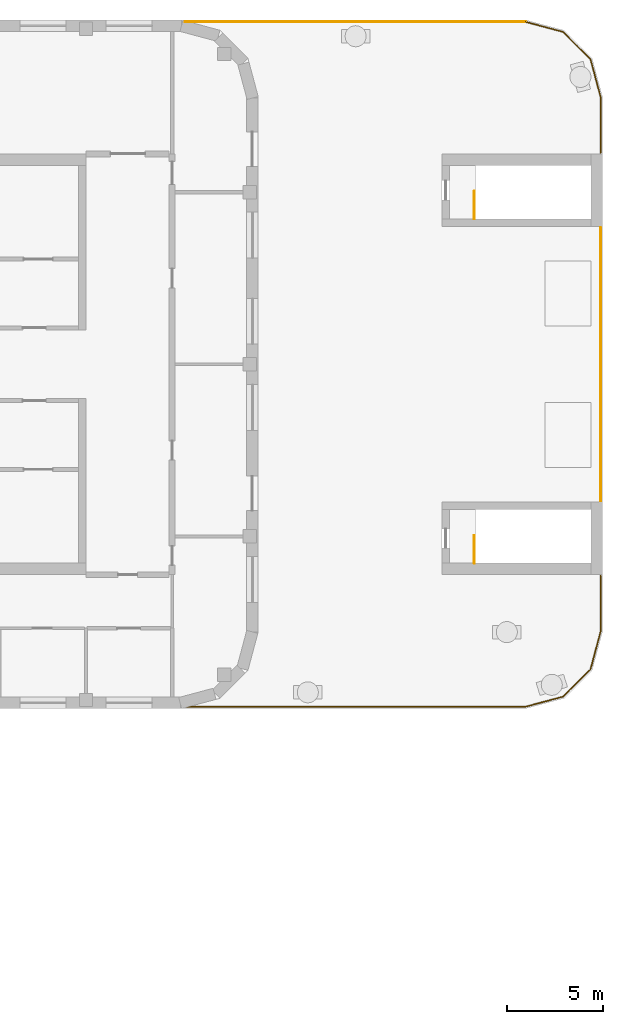
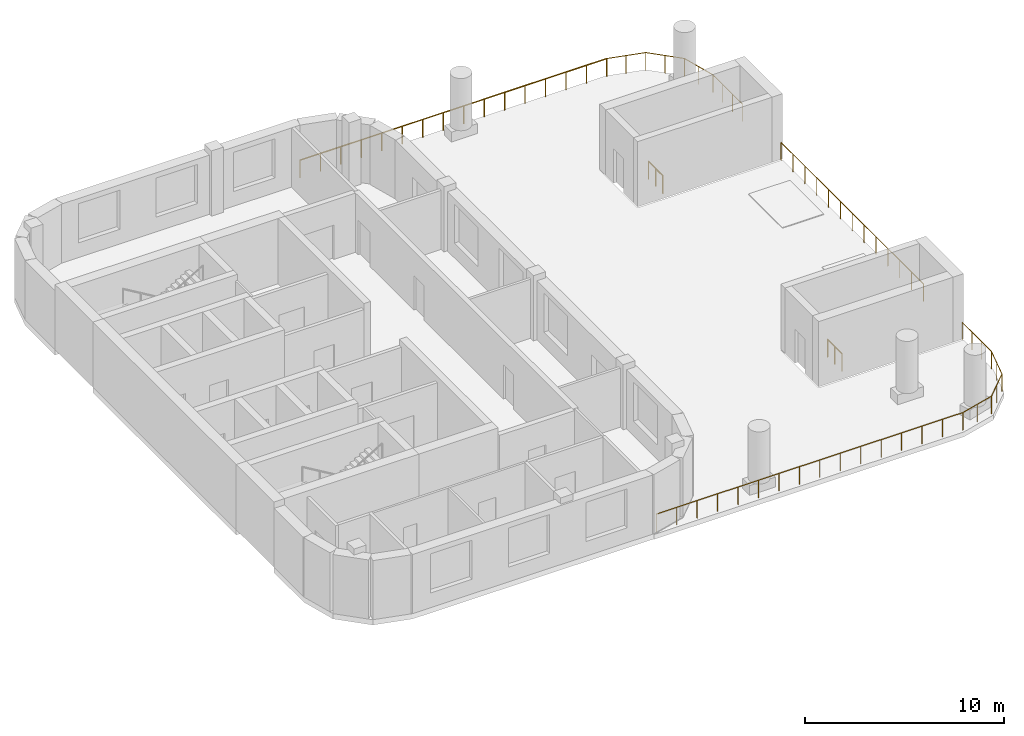
# One storey, part 12 of 14: 6 railings.
"""IFC4 building model written with IfcOpenShell, lengths in metres."""

from ifc_helpers import new_model, si_unit, direction, frame, origin, origin_2d, place, context, subcontext, project, spatial, circle, extrude, material, type_object, element, save


model = new_model("IFC4")

# Units and contexts
model_context = context("Model", 3, precision=1e-05, world=origin(), true_north=direction((0.0, 1.0)))
body_context = subcontext(model_context, "Body", "Model", "MODEL_VIEW")
ifc_project = project(units=[si_unit("LENGTHUNIT", "METRE"), si_unit("AREAUNIT", "SQUARE_METRE"), si_unit("VOLUMEUNIT", "CUBIC_METRE"), si_unit("PLANEANGLEUNIT", "RADIAN"), si_unit("MASSUNIT", "GRAM", prefix="KILO")], contexts=[model_context])

# Site, building, storey
site_placement = place(None, origin())
site = spatial("IfcSite", under=ifc_project, at=site_placement, CompositionType="ELEMENT")
building_placement = place(site_placement, origin())
building = spatial("IfcBuilding", under=site, at=building_placement, Name="Skarvind Civic Tower", CompositionType="ELEMENT")
storey_placement = place(building_placement, frame((0.0, 0.0, 89.0)))
storey = spatial("IfcBuildingStorey", under=building, at=storey_placement, Name="L20", CompositionType="ELEMENT", Elevation=89.0)

# Railings
ifc_material_1 = material(Name="Stainless steel balustrade", Category="steel")
railing_type_1 = type_object("IfcRailingType", Name="GR1 GUARD 1100", PredefinedType="GUARDRAIL", material=ifc_material_1)
railing_1_placement = place(storey_placement, frame((162.97412109375, 145.9033203125, 0.0)))
element("IfcRailing", 1, at=railing_1_placement, inside=storey, type_object=railing_type_1, Name="ROOF GARDEN GUARD", PredefinedType="GUARDRAIL", context=body_context, shape_type="SweptSolid", body=[
    extrude(circle(Radius=0.02392578125, at=origin_2d()), frame((0.0, 0.0, 1.076171875), z_axis=(0.965944852589, -0.258748027542, 0.0), x_axis=(0.258748027542, 0.965944852589, 0.0)), (0.0, 0.0, 1.0), 2.043701171875),
    extrude(circle(Radius=0.02392578125, at=origin_2d()), frame((1.97412109375, -0.52880859375, 1.076171875), z_axis=(0.707106781187, -0.707106781187, 0.0), x_axis=(0.707106781187, 0.707106781187, 0.0)), (0.0, 0.0, 1.0), 2.01708984375),
    extrude(circle(Radius=0.02392578125, at=origin_2d()), frame((3.400390625, -1.955078125, 1.076171875), z_axis=(0.258740091776, -0.965946978311, 0.0), x_axis=(0.965946978311, 0.258740091776, 0.0)), (0.0, 0.0, 1.0), 2.030517578125),
    extrude(circle(Radius=0.02392578125, at=origin_2d()), frame((3.92578125, -3.91650390625, 1.076171875), z_axis=(0.0, -1.0, 0.0), x_axis=(1.0, 0.0, 0.0)), (0.0, 0.0, 1.0), 2.936767578125),
    extrude(circle(Radius=0.02099609375, at=origin_2d()), origin(), (0.0, 0.0, 1.0), 1.052001953125),
    extrude(circle(Radius=0.02099609375, at=origin_2d()), frame((0.987060546875, -0.264404296875, 0.0)), (0.0, 0.0, 1.0), 1.052001953125),
    extrude(circle(Radius=0.02099609375, at=origin_2d()), frame((1.97412109375, -0.52880859375, 0.0)), (0.0, 0.0, 1.0), 1.052001953125),
    extrude(circle(Radius=0.02099609375, at=origin_2d()), frame((2.687255859375, -1.241943359375, 0.0)), (0.0, 0.0, 1.0), 1.052001953125),
    extrude(circle(Radius=0.02099609375, at=origin_2d()), frame((3.400390625, -1.955078125, 0.0)), (0.0, 0.0, 1.0), 1.052001953125),
    extrude(circle(Radius=0.02099609375, at=origin_2d()), frame((3.6630859375, -2.935791015625, 0.0)), (0.0, 0.0, 1.0), 1.052001953125),
    extrude(circle(Radius=0.02099609375, at=origin_2d()), frame((3.92578125, -3.91650390625, 0.0)), (0.0, 0.0, 1.0), 1.052001953125),
    extrude(circle(Radius=0.02099609375, at=origin_2d()), frame((3.92578125, -4.8955078125, 0.0)), (0.0, 0.0, 1.0), 1.052001953125),
    extrude(circle(Radius=0.02099609375, at=origin_2d()), frame((3.92578125, -5.874267578125, 0.0)), (0.0, 0.0, 1.0), 1.052001953125),
    extrude(circle(Radius=0.02099609375, at=origin_2d()), frame((3.92578125, -6.853271484375, 0.0)), (0.0, 0.0, 1.0), 1.052001953125),
])
railing_2_placement = place(storey_placement, frame((166.89990234375, 135.14990234375, 0.0)))
element("IfcRailing", 2, at=railing_2_placement, inside=storey, type_object=railing_type_1, Name="ROOF GARDEN GUARD", PredefinedType="GUARDRAIL", context=body_context, shape_type="SweptSolid", body=[
    extrude(circle(Radius=0.02392578125, at=origin_2d()), frame((0.0, 0.0, 1.076171875), z_axis=(0.0, -1.0, 0.0), x_axis=(1.0, 0.0, 0.0)), (0.0, 0.0, 1.0), 14.2998046875),
    extrude(circle(Radius=0.02099609375, at=origin_2d()), origin(), (0.0, 0.0, 1.0), 1.052001953125),
    extrude(circle(Radius=0.02099609375, at=origin_2d()), frame((0.0, -1.191650390625, 0.0)), (0.0, 0.0, 1.0), 1.052001953125),
    extrude(circle(Radius=0.02099609375, at=origin_2d()), frame((0.0, -2.38330078125, 0.0)), (0.0, 0.0, 1.0), 1.052001953125),
    extrude(circle(Radius=0.02099609375, at=origin_2d()), frame((0.0, -3.574951171875, 0.0)), (0.0, 0.0, 1.0), 1.052001953125),
    extrude(circle(Radius=0.02099609375, at=origin_2d()), frame((0.0, -4.7666015625, 0.0)), (0.0, 0.0, 1.0), 1.052001953125),
    extrude(circle(Radius=0.02099609375, at=origin_2d()), frame((0.0, -5.958251953125, 0.0)), (0.0, 0.0, 1.0), 1.052001953125),
    extrude(circle(Radius=0.02099609375, at=origin_2d()), frame((0.0, -7.14990234375, 0.0)), (0.0, 0.0, 1.0), 1.052001953125),
    extrude(circle(Radius=0.02099609375, at=origin_2d()), frame((0.0, -8.341552734375, 0.0)), (0.0, 0.0, 1.0), 1.052001953125),
    extrude(circle(Radius=0.02099609375, at=origin_2d()), frame((0.0, -9.533203125, 0.0)), (0.0, 0.0, 1.0), 1.052001953125),
    extrude(circle(Radius=0.02099609375, at=origin_2d()), frame((0.0, -10.724853515625, 0.0)), (0.0, 0.0, 1.0), 1.052001953125),
    extrude(circle(Radius=0.02099609375, at=origin_2d()), frame((0.0, -11.91650390625, 0.0)), (0.0, 0.0, 1.0), 1.052001953125),
    extrude(circle(Radius=0.02099609375, at=origin_2d()), frame((0.0, -13.108154296875, 0.0)), (0.0, 0.0, 1.0), 1.052001953125),
    extrude(circle(Radius=0.02099609375, at=origin_2d()), frame((0.0, -14.2998046875, 0.0)), (0.0, 0.0, 1.0), 1.052001953125),
])
railing_3_placement = place(storey_placement, frame((166.89990234375, 116.949951171875, 0.0)))
element("IfcRailing", 3, at=railing_3_placement, inside=storey, type_object=railing_type_1, Name="ROOF GARDEN GUARD", PredefinedType="GUARDRAIL", context=body_context, shape_type="SweptSolid", body=[
    extrude(circle(Radius=0.02392578125, at=origin_2d()), frame((0.0, 0.0, 1.076171875), z_axis=(0.0, -1.0, 0.0), x_axis=(1.0, 0.0, 0.0)), (0.0, 0.0, 1.0), 2.936767578125),
    extrude(circle(Radius=0.02392578125, at=origin_2d()), frame((0.0, -2.936767578125, 1.076171875), z_axis=(-0.258740091776, -0.965946978311, 0.0), x_axis=(0.965946978311, -0.258740091776, 0.0)), (0.0, 0.0, 1.0), 2.030517578125),
    extrude(circle(Radius=0.02392578125, at=origin_2d()), frame((-0.525390625, -4.898193359375, 1.076171875), z_axis=(-0.707106781187, -0.707106781187, 0.0), x_axis=(0.707106781187, -0.707106781187, 0.0)), (0.0, 0.0, 1.0), 2.01708984375),
    extrude(circle(Radius=0.02392578125, at=origin_2d()), frame((-1.95166015625, -6.324462890625, 1.076171875), z_axis=(-0.965946978311, -0.258740091776, 0.0), x_axis=(0.258740091776, -0.965946978311, 0.0)), (0.0, 0.0, 1.0), 2.030517578125),
    extrude(circle(Radius=0.02392578125, at=origin_2d()), frame((-3.9130859375, -6.849853515625, 1.076171875), z_axis=(-1.0, 0.0, 0.0), x_axis=(0.0, -1.0, 0.0)), (0.0, 0.0, 1.0), 17.793701171875),
    extrude(circle(Radius=0.02099609375, at=origin_2d()), origin(), (0.0, 0.0, 1.0), 1.052001953125),
    extrude(circle(Radius=0.02099609375, at=origin_2d()), frame((0.0, -0.97900390625, 0.0)), (0.0, 0.0, 1.0), 1.052001953125),
    extrude(circle(Radius=0.02099609375, at=origin_2d()), frame((0.0, -1.957763671875, 0.0)), (0.0, 0.0, 1.0), 1.052001953125),
    extrude(circle(Radius=0.02099609375, at=origin_2d()), frame((0.0, -2.936767578125, 0.0)), (0.0, 0.0, 1.0), 1.052001953125),
    extrude(circle(Radius=0.02099609375, at=origin_2d()), frame((-0.2626953125, -3.91748046875, 0.0)), (0.0, 0.0, 1.0), 1.052001953125),
    extrude(circle(Radius=0.02099609375, at=origin_2d()), frame((-0.525390625, -4.898193359375, 0.0)), (0.0, 0.0, 1.0), 1.052001953125),
    extrude(circle(Radius=0.02099609375, at=origin_2d()), frame((-1.238525390625, -5.611328125, 0.0)), (0.0, 0.0, 1.0), 1.052001953125),
    extrude(circle(Radius=0.02099609375, at=origin_2d()), frame((-1.95166015625, -6.324462890625, 0.0)), (0.0, 0.0, 1.0), 1.052001953125),
    extrude(circle(Radius=0.02099609375, at=origin_2d()), frame((-2.932373046875, -6.587158203125, 0.0)), (0.0, 0.0, 1.0), 1.052001953125),
    extrude(circle(Radius=0.02099609375, at=origin_2d()), frame((-3.9130859375, -6.849853515625, 0.0)), (0.0, 0.0, 1.0), 1.052001953125),
    extrude(circle(Radius=0.02099609375, at=origin_2d()), frame((-5.099365234375, -6.849853515625, 0.0)), (0.0, 0.0, 1.0), 1.052001953125),
    extrude(circle(Radius=0.02099609375, at=origin_2d()), frame((-6.28564453125, -6.849853515625, 0.0)), (0.0, 0.0, 1.0), 1.052001953125),
    extrude(circle(Radius=0.02099609375, at=origin_2d()), frame((-7.471923828125, -6.849853515625, 0.0)), (0.0, 0.0, 1.0), 1.052001953125),
    extrude(circle(Radius=0.02099609375, at=origin_2d()), frame((-8.657958984375, -6.849853515625, 0.0)), (0.0, 0.0, 1.0), 1.052001953125),
    extrude(circle(Radius=0.02099609375, at=origin_2d()), frame((-9.84423828125, -6.849853515625, 0.0)), (0.0, 0.0, 1.0), 1.052001953125),
    extrude(circle(Radius=0.02099609375, at=origin_2d()), frame((-11.030517578125, -6.849853515625, 0.0)), (0.0, 0.0, 1.0), 1.052001953125),
    extrude(circle(Radius=0.02099609375, at=origin_2d()), frame((-12.216796875, -6.849853515625, 0.0)), (0.0, 0.0, 1.0), 1.052001953125),
    extrude(circle(Radius=0.02099609375, at=origin_2d()), frame((-13.403076171875, -6.849853515625, 0.0)), (0.0, 0.0, 1.0), 1.052001953125),
    extrude(circle(Radius=0.02099609375, at=origin_2d()), frame((-14.58935546875, -6.849853515625, 0.0)), (0.0, 0.0, 1.0), 1.052001953125),
    extrude(circle(Radius=0.02099609375, at=origin_2d()), frame((-15.775634765625, -6.849853515625, 0.0)), (0.0, 0.0, 1.0), 1.052001953125),
    extrude(circle(Radius=0.02099609375, at=origin_2d()), frame((-16.9619140625, -6.849853515625, 0.0)), (0.0, 0.0, 1.0), 1.052001953125),
    extrude(circle(Radius=0.02099609375, at=origin_2d()), frame((-18.14794921875, -6.849853515625, 0.0)), (0.0, 0.0, 1.0), 1.052001953125),
    extrude(circle(Radius=0.02099609375, at=origin_2d()), frame((-19.334228515625, -6.849853515625, 0.0)), (0.0, 0.0, 1.0), 1.052001953125),
    extrude(circle(Radius=0.02099609375, at=origin_2d()), frame((-20.5205078125, -6.849853515625, 0.0)), (0.0, 0.0, 1.0), 1.052001953125),
    extrude(circle(Radius=0.02099609375, at=origin_2d()), frame((-21.706787109375, -6.849853515625, 0.0)), (0.0, 0.0, 1.0), 1.052001953125),
])
railing_4_placement = place(storey_placement, frame((145.193115234375, 145.89990234375, 0.0)))
element("IfcRailing", 4, at=railing_4_placement, inside=storey, type_object=railing_type_1, Name="ROOF GARDEN GUARD", PredefinedType="GUARDRAIL", context=body_context, shape_type="SweptSolid", body=[
    extrude(circle(Radius=0.02392578125, at=origin_2d()), frame((0.0, 0.0, 1.076171875), z_axis=(1.0, 0.0, 0.0), x_axis=(0.0, 1.0, 0.0)), (0.0, 0.0, 1.0), 17.806884765625),
    extrude(circle(Radius=0.02099609375, at=origin_2d()), origin(), (0.0, 0.0, 1.0), 1.052001953125),
    extrude(circle(Radius=0.02099609375, at=origin_2d()), frame((1.18701171875, 0.0, 0.0)), (0.0, 0.0, 1.0), 1.052001953125),
    extrude(circle(Radius=0.02099609375, at=origin_2d()), frame((2.374267578125, 0.0, 0.0)), (0.0, 0.0, 1.0), 1.052001953125),
    extrude(circle(Radius=0.02099609375, at=origin_2d()), frame((3.561279296875, 0.0, 0.0)), (0.0, 0.0, 1.0), 1.052001953125),
    extrude(circle(Radius=0.02099609375, at=origin_2d()), frame((4.74853515625, 0.0, 0.0)), (0.0, 0.0, 1.0), 1.052001953125),
    extrude(circle(Radius=0.02099609375, at=origin_2d()), frame((5.935546875, 0.0, 0.0)), (0.0, 0.0, 1.0), 1.052001953125),
    extrude(circle(Radius=0.02099609375, at=origin_2d()), frame((7.122802734375, 0.0, 0.0)), (0.0, 0.0, 1.0), 1.052001953125),
    extrude(circle(Radius=0.02099609375, at=origin_2d()), frame((8.309814453125, 0.0, 0.0)), (0.0, 0.0, 1.0), 1.052001953125),
    extrude(circle(Radius=0.02099609375, at=origin_2d()), frame((9.4970703125, 0.0, 0.0)), (0.0, 0.0, 1.0), 1.052001953125),
    extrude(circle(Radius=0.02099609375, at=origin_2d()), frame((10.68408203125, 0.0, 0.0)), (0.0, 0.0, 1.0), 1.052001953125),
    extrude(circle(Radius=0.02099609375, at=origin_2d()), frame((11.871337890625, 0.0, 0.0)), (0.0, 0.0, 1.0), 1.052001953125),
    extrude(circle(Radius=0.02099609375, at=origin_2d()), frame((13.058349609375, 0.0, 0.0)), (0.0, 0.0, 1.0), 1.052001953125),
    extrude(circle(Radius=0.02099609375, at=origin_2d()), frame((14.24560546875, 0.0, 0.0)), (0.0, 0.0, 1.0), 1.052001953125),
    extrude(circle(Radius=0.02099609375, at=origin_2d()), frame((15.4326171875, 0.0, 0.0)), (0.0, 0.0, 1.0), 1.052001953125),
    extrude(circle(Radius=0.02099609375, at=origin_2d()), frame((16.619873046875, 0.0, 0.0)), (0.0, 0.0, 1.0), 1.052001953125),
    extrude(circle(Radius=0.02099609375, at=origin_2d()), frame((17.806884765625, 0.0, 0.0)), (0.0, 0.0, 1.0), 1.052001953125),
])
ifc_material_2 = material(Name="Painted steel balustrade", Category="steel")
railing_type_2 = type_object("IfcRailingType", Name="Stair guard 1100", PredefinedType="GUARDRAIL", material=ifc_material_2)
for number, where, name in (
    (5, (160.300048828125, 135.60009765625, 0.0), "Stair guard"),
    (6, (160.300048828125, 117.60009765625, 0.0), "Stair guard"),
):
    element("IfcRailing", number, at=place(storey_placement, frame(where)), inside=storey, type_object=railing_type_2, Name=name, PredefinedType="GUARDRAIL", context=body_context, shape_type="SweptSolid", body=[
        extrude(circle(Radius=0.02392578125, at=origin_2d()), frame((0.0, 0.0, 1.076171875), z_axis=(0.0, 1.0, 0.0), x_axis=(-1.0, 0.0, 0.0)), (0.0, 0.0, 1.0), 1.449951171875),
        extrude(circle(Radius=0.02099609375, at=origin_2d()), origin(), (0.0, 0.0, 1.0), 1.052001953125),
        extrude(circle(Radius=0.02099609375, at=origin_2d()), frame((0.0, 0.72509765625, 0.0)), (0.0, 0.0, 1.0), 1.052001953125),
        extrude(circle(Radius=0.02099609375, at=origin_2d()), frame((0.0, 1.449951171875, 0.0)), (0.0, 0.0, 1.0), 1.052001953125),
    ])

save(model, "model.ifc")
